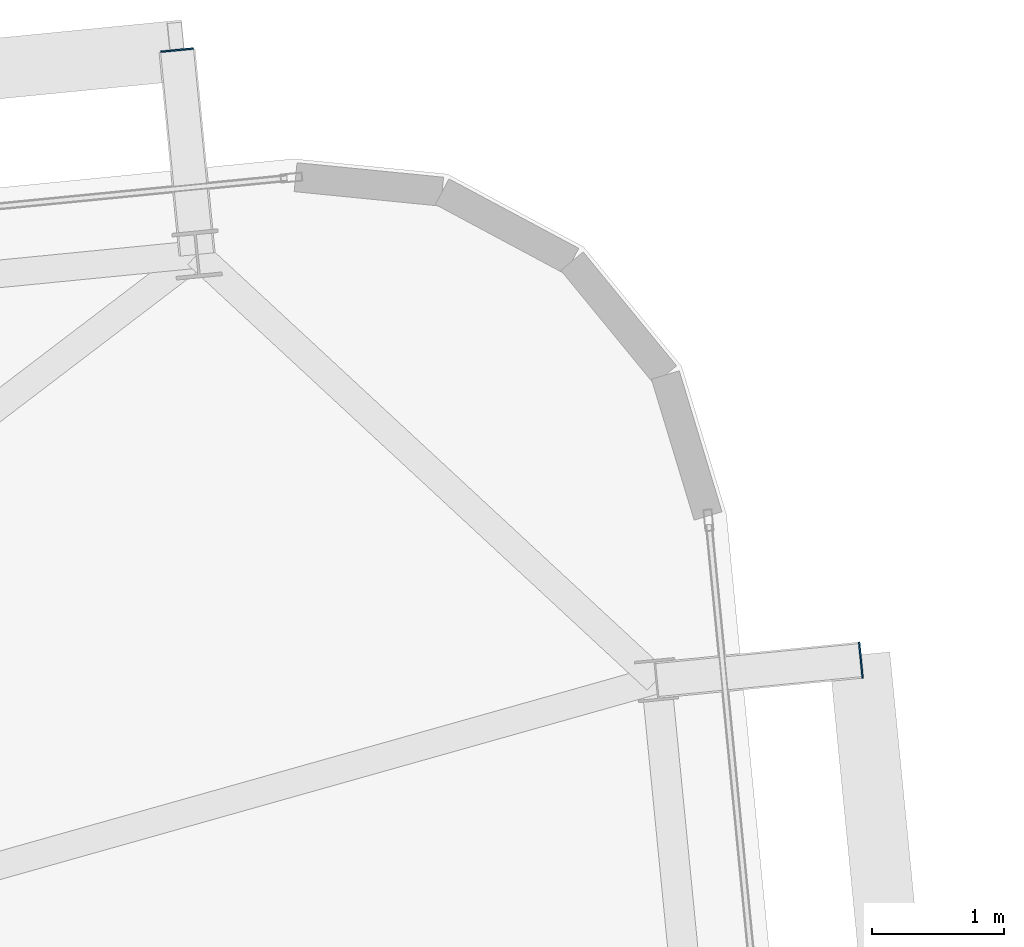
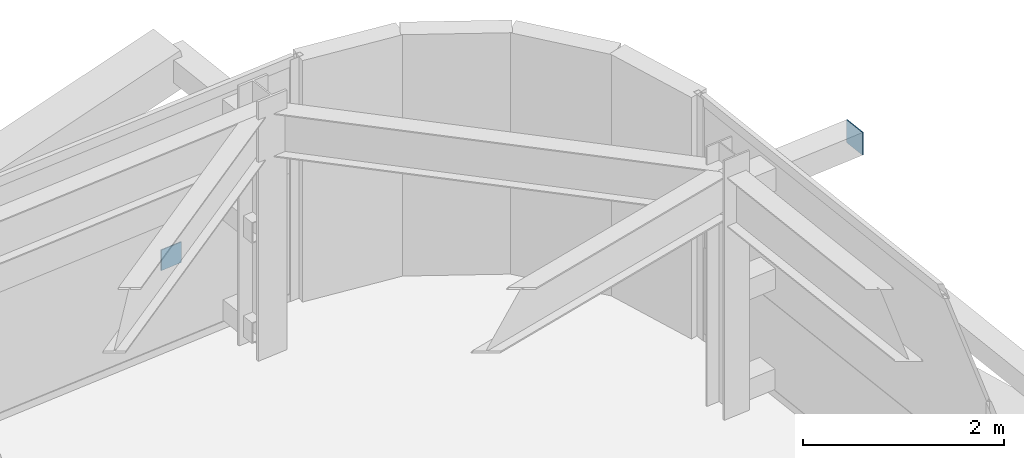
# One storey, part 40 of 47: 2 plates.
"""IFC4 building model written with IfcOpenShell, lengths in metres."""

from ifc_helpers import new_model, si_unit, direction, frame, origin, origin_2d, place, context, subcontext, project, spatial, rectangle, extrude, source, transform, mapped, material, layer, layer_set, type_object, element, save


model = new_model("IFC4")

# Units and contexts
model_context = context("Model", 3, precision=1e-05, world=origin(), true_north=direction((0.0, 1.0)))
body_context = subcontext(model_context, "Body", "Model", "MODEL_VIEW")
ifc_project = project(units=[si_unit("LENGTHUNIT", "METRE"), si_unit("AREAUNIT", "SQUARE_METRE"), si_unit("VOLUMEUNIT", "CUBIC_METRE"), si_unit("PLANEANGLEUNIT", "RADIAN"), si_unit("MASSUNIT", "GRAM", prefix="KILO")], contexts=[model_context])

# Site, building, storey
site_placement = place(None, origin())
site = spatial("IfcSite", under=ifc_project, at=site_placement, CompositionType="ELEMENT")
building_placement = place(site_placement, origin())
building = spatial("IfcBuilding", under=site, at=building_placement, Name="Taldren Reach Tower", CompositionType="ELEMENT")
storey_placement = place(building_placement, frame((0.0, 0.0, 87.14990234375)))
storey = spatial("IfcBuildingStorey", under=building, at=storey_placement, Name="L26", CompositionType="ELEMENT", Elevation=87.14990234375)

# Plates
ifc_material_1 = material(Name="Steel Gr 450 (C450L0)", Category="steel")
ifc_layer_1 = layer(ifc_material_1, 0.011962890625)
ifc_layer_set_1 = layer_set([ifc_layer_1], Name="Steel Gr 450 (C450L0)")
plate_type_1 = type_object("IfcPlateType", Name="PL-CAP-275", PredefinedType="SHEET", material=ifc_layer_set_1)
shared_shape_1 = source(origin(), body_context, "Body", "SweptSolid", [
    extrude(rectangle(XDim=0.011962890625, YDim=0.27490234375, at=origin_2d()), origin(), (0.0, 0.0, 1.0), 0.27490234375),
])
plate_1_placement = place(storey_placement, frame((64.7958984375, 35.60595703125, 2.5126953125), z_axis=(0.0, 0.0, 1.0), x_axis=(0.995227399982, 0.097582899759, 0.0)))
element("IfcPlate", 1, at=plate_1_placement, inside=storey, type_object=plate_type_1, Name="Tie strut end cap plate B2-E3 L26", PredefinedType="SHEET", context=body_context, shape_type="MappedRepresentation", body=[
    mapped(shared_shape_1, transform((0.0, 0.0, 0.0), scale=1.0)),
])
ifc_material_2 = material(Name="Steel Gr 350 (C350L0)", Category="steel")
ifc_layer_2 = layer(ifc_material_2, 0.011962890625)
ifc_layer_set_2 = layer_set([ifc_layer_2], Name="Steel Gr 350 (C350L0)")
plate_type_2 = type_object("IfcPlateType", Name="PL-CAP-250", PredefinedType="SHEET", material=ifc_layer_set_2)
shared_shape_2 = source(origin(), body_context, "Body", "SweptSolid", [
    extrude(rectangle(XDim=0.25, YDim=0.011962890625, at=origin_2d()), origin(), (0.0, 0.0, 1.0), 0.25),
])
plate_2_placement = place(storey_placement, frame((59.614013671875, 40.228515625, 0.09521484375), z_axis=(0.0, 0.0, 1.0), x_axis=(0.995227399982, 0.097582899759, 0.0)))
element("IfcPlate", 2, at=plate_2_placement, inside=storey, type_object=plate_type_2, Name="Tie strut end cap plate B2-N6 L26", PredefinedType="SHEET", context=body_context, shape_type="MappedRepresentation", body=[
    mapped(shared_shape_2, transform((0.0, 0.0, 0.0), scale=1.0)),
])

save(model, "model.ifc")
